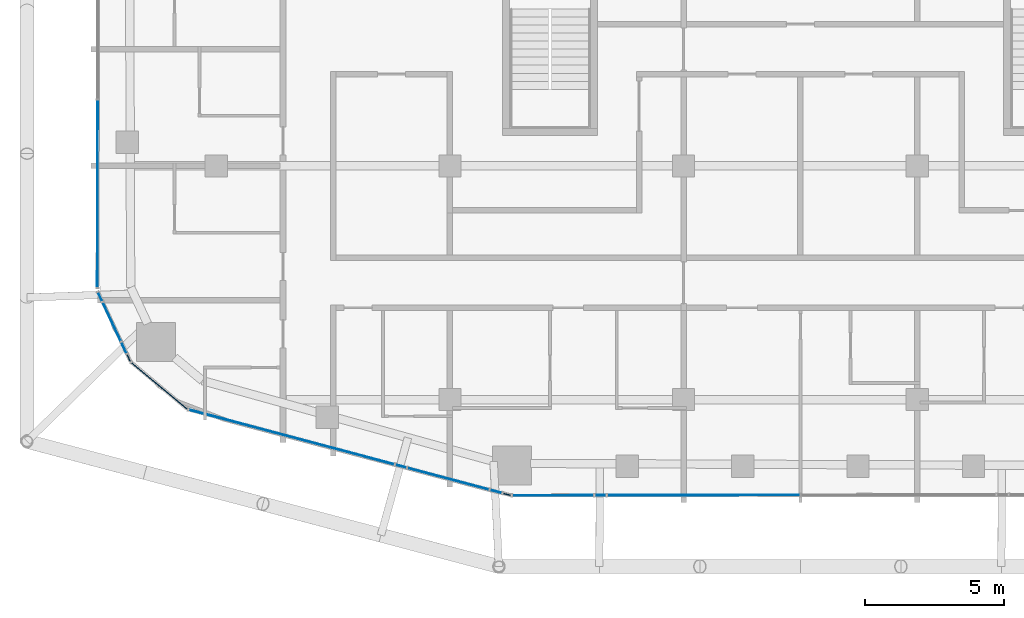
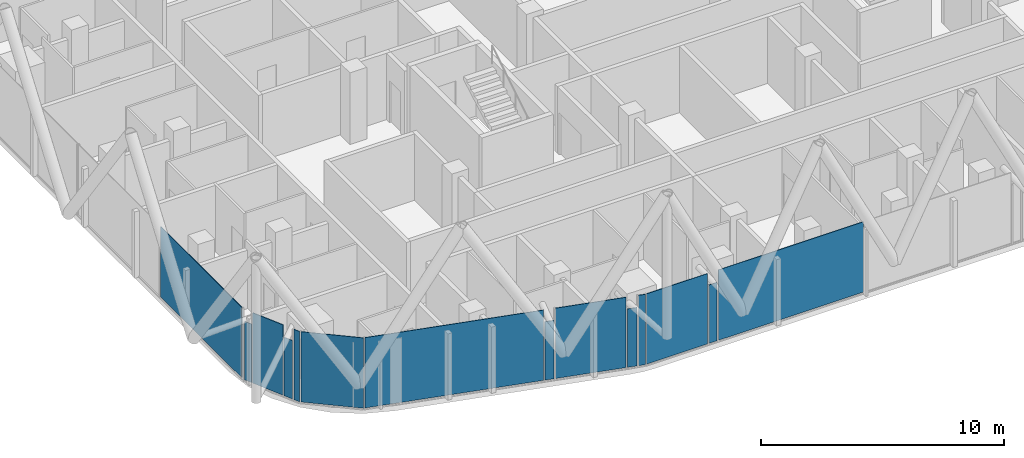
# One storey, part 14 of 31: 14 plates, 14 elements without a shape of their own.
"""IFC4 building model written with IfcOpenShell, lengths in metres."""

from ifc_helpers import new_model, si_unit, direction, frame, origin, origin_2d, place, context, subcontext, project, spatial, rectangle, extrude, material, layer, layer_set, type_object, element, aggregate, save


model = new_model("IFC4")

# Units and contexts
model_context = context("Model", 3, precision=1e-05, world=origin(), true_north=direction((0.0, 1.0)))
body_context = subcontext(model_context, "Body", "Model", "MODEL_VIEW")
ifc_project = project(units=[si_unit("LENGTHUNIT", "METRE"), si_unit("AREAUNIT", "SQUARE_METRE"), si_unit("VOLUMEUNIT", "CUBIC_METRE"), si_unit("PLANEANGLEUNIT", "RADIAN"), si_unit("MASSUNIT", "GRAM", prefix="KILO")], contexts=[model_context])

# Site, building, storey
site_placement = place(None, origin())
site = spatial("IfcSite", under=ifc_project, at=site_placement, CompositionType="ELEMENT")
building_placement = place(site_placement, origin())
building = spatial("IfcBuilding", under=site, at=building_placement, Name="Marenta Gate Hotel Tower", CompositionType="ELEMENT")
storey_placement = place(building_placement, frame((0.0, 0.0, 220.10009765625)))
storey = spatial("IfcBuildingStorey", under=building, at=storey_placement, Name="L51", CompositionType="ELEMENT", Elevation=220.10009765625)

# Curtain wall, plate
ifc_material_1 = material(Name="Tinted insulated glass in bronze anodised frame", Category="glass")
ifc_layer_1 = layer(ifc_material_1, 0.1201171875)
ifc_layer_set_1 = layer_set([ifc_layer_1], Name="Tinted insulated glass in bronze anodised frame")
curtain_wall_type = type_object("IfcCurtainWallType", Name="Tower unitised curtain wall CW1", PredefinedType="NOTDEFINED", material=ifc_layer_set_1)
curtain_wall_1_placement = place(storey_placement, origin())
curtain_wall_1 = element("IfcCurtainWall", 1, at=curtain_wall_1_placement, inside=storey, type_object=curtain_wall_type, Name="CW1 run G08", PredefinedType="NOTDEFINED")
ifc_material_2 = material(Name="Tinted insulated glass", Category="glass")
ifc_layer_2 = layer(ifc_material_2, 0.028076171875)
ifc_layer_set_2 = layer_set([ifc_layer_2], Name="Tinted insulated glass")
plate_type = type_object("IfcPlateType", Name="Glass panel CW1 28 mm tinted insulated unit", PredefinedType="CURTAIN_PANEL", material=ifc_layer_set_2)
plate_1_placement = place(storey_placement, frame((-25.267578125, -17.800537109375, 0.059814453125), z_axis=(0.0, 0.0, 1.0), x_axis=(-0.001564651623, -0.999998775932, 0.0)))
plate_1 = element("IfcPlate", 2, at=plate_1_placement, type_object=plate_type, Name="CW1 panel 3.1", PredefinedType="CURTAIN_PANEL", context=body_context, shape_type="SweptSolid", body=[
    extrude(rectangle(XDim=6.7060546875, YDim=0.028076171875, at=origin_2d()), origin(), (0.0, 0.0, 1.0), 3.5400390625),
])
aggregate(curtain_wall_1, [plate_1])

curtain_wall_2_placement = place(storey_placement, origin())
curtain_wall_2 = element("IfcCurtainWall", 3, at=curtain_wall_2_placement, inside=storey, type_object=curtain_wall_type, Name="CW1 run G09", PredefinedType="NOTDEFINED")
plate_2_placement = place(storey_placement, frame((-25.174560546875, -21.50439453125, 0.06005859375), z_axis=(0.0, 0.0, 1.0), x_axis=(0.423345141478, -0.905968482447, 0.0)))
plate_2 = element("IfcPlate", 4, at=plate_2_placement, type_object=plate_type, Name="CW1 panel 1.1", PredefinedType="CURTAIN_PANEL", context=body_context, shape_type="SweptSolid", body=[
    extrude(rectangle(XDim=0.344970703125, YDim=0.028076171875, at=origin_2d()), origin(), (0.0, 0.0, 1.0), 2.9404296875),
])
aggregate(curtain_wall_2, [plate_2])

curtain_wall_3_placement = place(storey_placement, origin())
curtain_wall_3 = element("IfcCurtainWall", 5, at=curtain_wall_3_placement, inside=storey, type_object=curtain_wall_type, Name="CW1 run G10", PredefinedType="NOTDEFINED")
plate_3_placement = place(storey_placement, frame((-24.75390625, -22.40478515625, 0.059814453125), z_axis=(0.0, 0.0, 1.0), x_axis=(0.423328093078, -0.905976448707, 0.0)))
plate_3 = element("IfcPlate", 6, at=plate_3_placement, type_object=plate_type, Name="CW1 panel 1.1", PredefinedType="CURTAIN_PANEL", context=body_context, shape_type="SweptSolid", body=[
    extrude(rectangle(XDim=1.52294921875, YDim=0.028076171875, at=origin_2d()), origin(), (0.0, 0.0, 1.0), 3.5400390625),
])
aggregate(curtain_wall_3, [plate_3])

curtain_wall_4_placement = place(storey_placement, origin())
curtain_wall_4 = element("IfcCurtainWall", 7, at=curtain_wall_4_placement, inside=storey, type_object=curtain_wall_type, Name="CW1 run G11", PredefinedType="NOTDEFINED")
plate_4_placement = place(storey_placement, frame((-24.317138671875, -23.33935546875, 0.06005859375), z_axis=(0.0, 0.0, 1.0), x_axis=(0.423387289241, -0.905948786251, 0.0)))
plate_4 = element("IfcPlate", 8, at=plate_4_placement, type_object=plate_type, Name="CW1 panel 1.1", PredefinedType="CURTAIN_PANEL", context=body_context, shape_type="SweptSolid", body=[
    extrude(rectangle(XDim=0.419921875, YDim=0.028076171875, at=origin_2d()), origin(), (0.0, 0.0, 1.0), 2.9404296875),
])
aggregate(curtain_wall_4, [plate_4])

curtain_wall_5_placement = place(storey_placement, origin())
curtain_wall_5 = element("IfcCurtainWall", 9, at=curtain_wall_5_placement, inside=storey, type_object=curtain_wall_type, Name="CW1 run G12", PredefinedType="NOTDEFINED")
plate_5_placement = place(storey_placement, frame((-24.142822265625, -23.71240234375, 0.059814453125), z_axis=(0.0, 0.0, 1.0), x_axis=(0.423299800084, -0.905989668401, 0.0)))
plate_5 = element("IfcPlate", 10, at=plate_5_placement, type_object=plate_type, Name="CW1 panel 1.1", PredefinedType="CURTAIN_PANEL", context=body_context, shape_type="SweptSolid", body=[
    extrude(rectangle(XDim=0.283447265625, YDim=0.028076171875, at=origin_2d()), origin(), (0.0, 0.0, 1.0), 3.5400390625),
])
aggregate(curtain_wall_5, [plate_5])

curtain_wall_6_placement = place(storey_placement, origin())
curtain_wall_6 = element("IfcCurtainWall", 11, at=curtain_wall_6_placement, inside=storey, type_object=curtain_wall_type, Name="CW1 run G13", PredefinedType="NOTDEFINED")
plate_6_placement = place(storey_placement, frame((-23.0361328125, -24.716064453125, 0.059814453125), z_axis=(0.0, 0.0, 1.0), x_axis=(0.767102345594, -0.641524739495, 0.0)))
plate_6 = element("IfcPlate", 12, at=plate_6_placement, type_object=plate_type, Name="CW1 panel 1.1", PredefinedType="CURTAIN_PANEL", context=body_context, shape_type="SweptSolid", body=[
    extrude(rectangle(XDim=2.609375, YDim=0.028076171875, at=origin_2d()), origin(), (0.0, 0.0, 1.0), 3.5400390625),
])
aggregate(curtain_wall_6, [plate_6])

curtain_wall_7_placement = place(storey_placement, origin())
curtain_wall_7 = element("IfcCurtainWall", 13, at=curtain_wall_7_placement, inside=storey, type_object=curtain_wall_type, Name="CW1 run G14", PredefinedType="NOTDEFINED")
plate_7_placement = place(storey_placement, frame((-18.292724609375, -26.548828125, 0.059814453125), z_axis=(0.0, 0.0, 1.0), x_axis=(0.966375170847, -0.257136207427, 0.0)))
plate_7 = element("IfcPlate", 14, at=plate_7_placement, type_object=plate_type, Name="CW1 panel 1.1", PredefinedType="CURTAIN_PANEL", context=body_context, shape_type="SweptSolid", body=[
    extrude(rectangle(XDim=7.62548828125, YDim=0.028076171875, at=origin_2d()), origin(), (0.0, 0.0, 1.0), 3.5400390625),
])
aggregate(curtain_wall_7, [plate_7])

curtain_wall_8_placement = place(storey_placement, origin())
curtain_wall_8 = element("IfcCurtainWall", 15, at=curtain_wall_8_placement, inside=storey, type_object=curtain_wall_type, Name="CW1 run G15", PredefinedType="NOTDEFINED")
plate_8_placement = place(storey_placement, frame((-14.3603515625, -27.59521484375, 0.06005859375), z_axis=(0.0, 0.0, 1.0), x_axis=(0.966370359942, -0.257154287199, 0.0)))
plate_8 = element("IfcPlate", 16, at=plate_8_placement, type_object=plate_type, Name="CW1 panel 1.1", PredefinedType="CURTAIN_PANEL", context=body_context, shape_type="SweptSolid", body=[
    extrude(rectangle(XDim=0.39306640625, YDim=0.028076171875, at=origin_2d()), origin(), (0.0, 0.0, 1.0), 2.9404296875),
])
aggregate(curtain_wall_8, [plate_8])

curtain_wall_9_placement = place(storey_placement, origin())
curtain_wall_9 = element("IfcCurtainWall", 17, at=curtain_wall_9_placement, inside=storey, type_object=curtain_wall_type, Name="CW1 run G16", PredefinedType="NOTDEFINED")
plate_9_placement = place(storey_placement, frame((-12.658203125, -28.048095703125, 0.059814453125), z_axis=(0.0, 0.0, 1.0), x_axis=(0.96638022581, -0.257117208999, 0.0)))
plate_9 = element("IfcPlate", 18, at=plate_9_placement, type_object=plate_type, Name="CW1 panel 1.1", PredefinedType="CURTAIN_PANEL", context=body_context, shape_type="SweptSolid", body=[
    extrude(rectangle(XDim=3.009765625, YDim=0.028076171875, at=origin_2d()), origin(), (0.0, 0.0, 1.0), 3.5400390625),
])
aggregate(curtain_wall_9, [plate_9])

curtain_wall_10_placement = place(storey_placement, origin())
curtain_wall_10 = element("IfcCurtainWall", 19, at=curtain_wall_10_placement, inside=storey, type_object=curtain_wall_type, Name="CW1 run G17", PredefinedType="NOTDEFINED")
plate_10_placement = place(storey_placement, frame((-10.945068359375, -28.50390625, 0.06005859375), z_axis=(0.0, 0.0, 1.0), x_axis=(0.966384808868, -0.257099982864, 0.0)))
plate_10 = element("IfcPlate", 20, at=plate_10_placement, type_object=plate_type, Name="CW1 panel 1.1", PredefinedType="CURTAIN_PANEL", context=body_context, shape_type="SweptSolid", body=[
    extrude(rectangle(XDim=0.415771484375, YDim=0.028076171875, at=origin_2d()), origin(), (0.0, 0.0, 1.0), 2.9404296875),
])
aggregate(curtain_wall_10, [plate_10])

curtain_wall_11_placement = place(storey_placement, origin())
curtain_wall_11 = element("IfcCurtainWall", 21, at=curtain_wall_11_placement, inside=storey, type_object=curtain_wall_type, Name="CW1 run G18", PredefinedType="NOTDEFINED")
plate_11_placement = place(storey_placement, frame((-10.546142578125, -28.610107421875, 0.059814453125), z_axis=(0.0, 0.0, 1.0), x_axis=(0.966296560535, -0.257431460974, 0.0)))
plate_11 = element("IfcPlate", 22, at=plate_11_placement, type_object=plate_type, Name="CW1 panel 1.1", PredefinedType="CURTAIN_PANEL", context=body_context, shape_type="SweptSolid", body=[
    extrude(rectangle(XDim=0.2900390625, YDim=0.028076171875, at=origin_2d()), origin(), (0.0, 0.0, 1.0), 3.5400390625),
])
aggregate(curtain_wall_11, [plate_11])

curtain_wall_12_placement = place(storey_placement, origin())
curtain_wall_12 = element("IfcCurtainWall", 23, at=curtain_wall_12_placement, inside=storey, type_object=curtain_wall_type, Name="CW1 run G19", PredefinedType="NOTDEFINED")
plate_12_placement = place(storey_placement, frame((-8.894287109375, -28.64501953125, 0.059814453125), z_axis=(0.0, 0.0, 1.0), x_axis=(0.999998632869, 0.001653559645, 0.0)))
plate_12 = element("IfcPlate", 24, at=plate_12_placement, type_object=plate_type, Name="CW1 panel 1.1", PredefinedType="CURTAIN_PANEL", context=body_context, shape_type="SweptSolid", body=[
    extrude(rectangle(XDim=2.9033203125, YDim=0.028076171875, at=origin_2d()), origin(), (0.0, 0.0, 1.0), 3.5400390625),
])
aggregate(curtain_wall_12, [plate_12])

curtain_wall_13_placement = place(storey_placement, origin())
curtain_wall_13 = element("IfcCurtainWall", 25, at=curtain_wall_13_placement, inside=storey, type_object=curtain_wall_type, Name="CW1 run G20", PredefinedType="NOTDEFINED")
plate_13_placement = place(storey_placement, frame((-7.186279296875, -28.64208984375, 0.06005859375), z_axis=(0.0, 0.0, 1.0), x_axis=(0.999998440618, 0.001766001654, 0.0)))
plate_13 = element("IfcPlate", 26, at=plate_13_placement, type_object=plate_type, Name="CW1 panel 1.1", PredefinedType="CURTAIN_PANEL", context=body_context, shape_type="SweptSolid", body=[
    extrude(rectangle(XDim=0.39306640625, YDim=0.028076171875, at=origin_2d()), origin(), (0.0, 0.0, 1.0), 2.9404296875),
])
aggregate(curtain_wall_13, [plate_13])

curtain_wall_14_placement = place(storey_placement, origin())
curtain_wall_14 = element("IfcCurtainWall", 27, at=curtain_wall_14_placement, inside=storey, type_object=curtain_wall_type, Name="CW1 run G21", PredefinedType="NOTDEFINED")
plate_14_placement = place(storey_placement, frame((-3.474853515625, -28.635986328125, 0.059814453125), z_axis=(0.0, 0.0, 1.0), x_axis=(0.99999866205, 0.001635817263, 0.0)))
plate_14 = element("IfcPlate", 28, at=plate_14_placement, type_object=plate_type, Name="CW1 panel 1.1", PredefinedType="CURTAIN_PANEL", context=body_context, shape_type="SweptSolid", body=[
    extrude(rectangle(XDim=6.90966796875, YDim=0.028076171875, at=origin_2d()), origin(), (0.0, 0.0, 1.0), 3.5400390625),
])
aggregate(curtain_wall_14, [plate_14])

save(model, "model.ifc")
